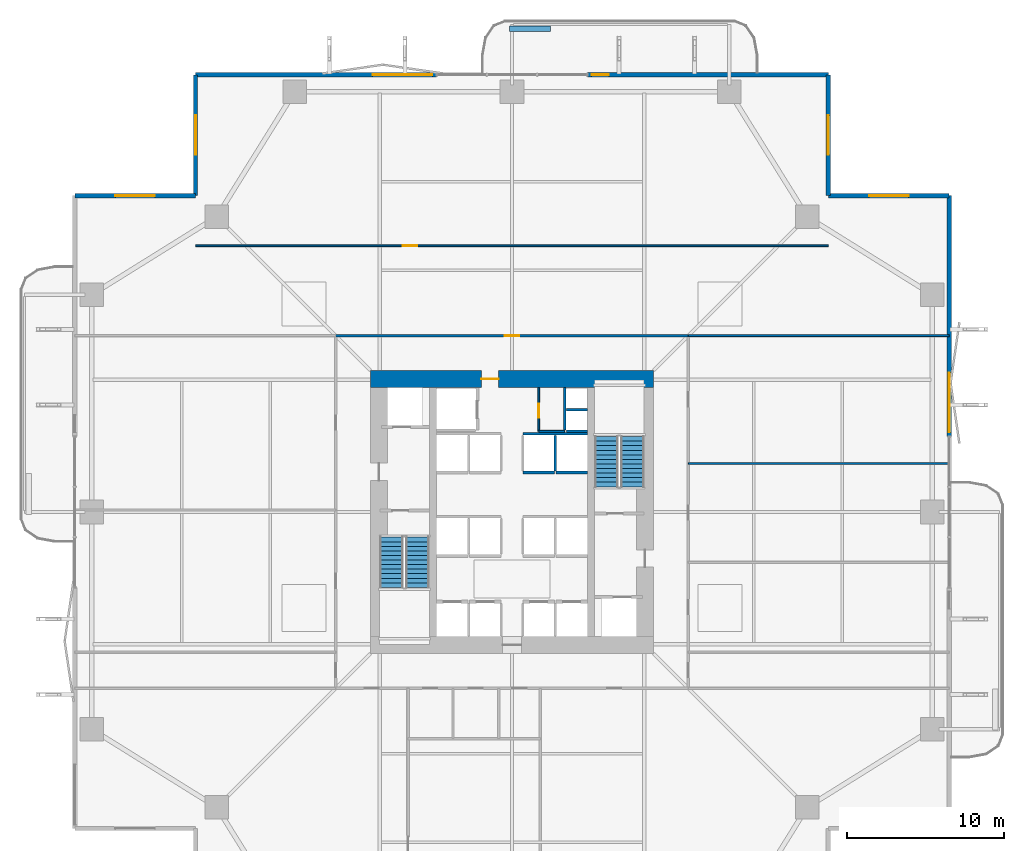
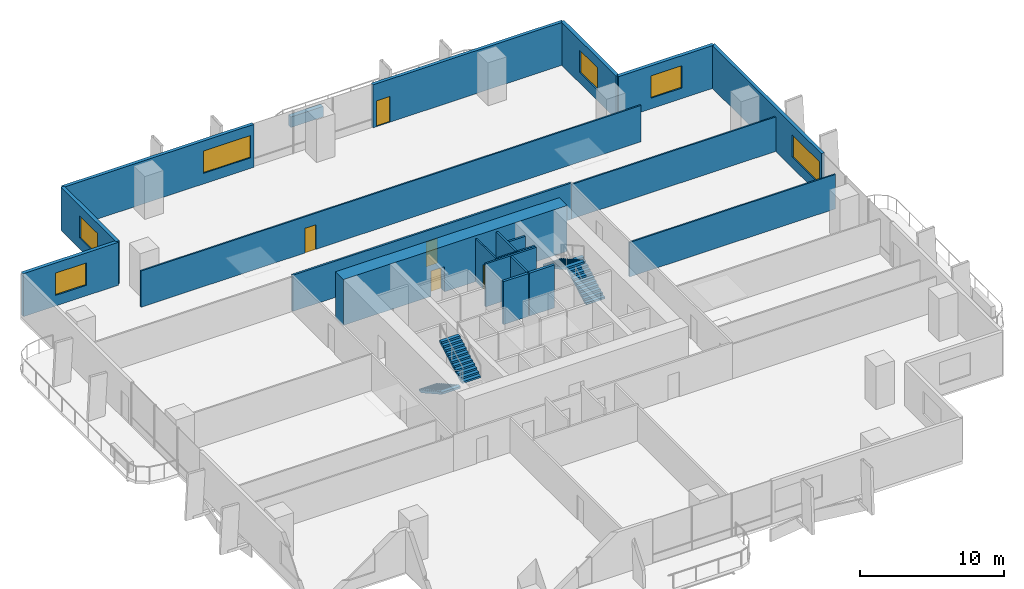
# One storey, part 19 of 23: 22 walls, 6 windows, 5 doors, 4 stair flights, 11 openings, 2 elements without a shape of their own.
"""IFC4 building model written with IfcOpenShell, lengths in metres."""

import ifcopenshell
import ifcopenshell.guid

model = None  # the IFC model being written
_history = None  # IfcOwnerHistory: only IFC2X3 demands one
_inside = {}  # id of a spatial element -> (the spatial element, [elements in it])
_under = {}  # id of a project, library or spatial element -> (it, [spatial elements below it])
_declared = {}  # id of a project -> (the project, [libraries it declares])
_typed = {}  # id of a type object -> (the type object, [elements of that type])
_made_of = {}  # id of a material, layer set ... -> (it, [elements and type objects made of it])


def new_model(schema):
    """Start an empty IFC model of exactly this schema.

    Asked for "IFC4X3", IfcOpenShell would pick the latest addendum, in which some entities
    have other attributes; the version numbers below select the first issue.
    IFC2X3 requires an IfcOwnerHistory on every rooted entity: one is made here for all.
    """
    global model, _history
    if schema == "IFC4X3":
        model = ifcopenshell.file(schema_version=(4, 3, 0, 0))
    else:
        model = ifcopenshell.file(schema=schema)
    _inside.clear()
    _under.clear()
    _declared.clear()
    _typed.clear()
    _made_of.clear()
    _history = None
    if model.schema == "IFC2X3":
        org = make("IfcOrganization", Name="unknown")
        user = make(
            "IfcPersonAndOrganization",
            ThePerson=make("IfcPerson", FamilyName="unknown"),
            TheOrganization=org,
        )
        app = make(
            "IfcApplication",
            ApplicationDeveloper=org,
            Version="unknown",
            ApplicationFullName="unknown",
            ApplicationIdentifier="unknown",
        )
        _history = make(
            "IfcOwnerHistory",
            OwningUser=user,
            OwningApplication=app,
            ChangeAction="ADDED",
            CreationDate=0,
        )
    return model


def make(cls, **values):
    """One entity of the class cls with the attributes given. An attribute that is None is left unset."""
    return model.create_entity(
        cls, **{name: value for name, value in values.items() if value is not None}
    )


def rooted(cls, **values):
    """An entity with a GlobalId (a new one), such as an element, a storey or a relation."""
    return make(cls, GlobalId=ifcopenshell.guid.new(), OwnerHistory=_history, **values)


def si_unit(unit_type, name, prefix=None):
    """IfcSIUnit, for example si_unit("LENGTHUNIT", "METRE", prefix="MILLI")."""
    return make("IfcSIUnit", UnitType=unit_type, Prefix=prefix, Name=name)


def assignment(units):
    """IfcUnitAssignment: the units of a project."""
    return None if units is None else make("IfcUnitAssignment", Units=units)


def point(xyz):
    """IfcCartesianPoint."""
    return None if xyz is None else make("IfcCartesianPoint", Coordinates=xyz)


def direction(xyz):
    """IfcDirection."""
    return None if xyz is None else make("IfcDirection", DirectionRatios=xyz)


def frame(location, z_axis=None, x_axis=None):
    """IfcAxis2Placement3D, a coordinate frame: its origin and axes. An axis left out is left unset."""
    return make(
        "IfcAxis2Placement3D",
        Location=point(location),
        Axis=direction(z_axis),
        RefDirection=direction(x_axis),
    )


def frame_2d(location, x_axis=None):
    """IfcAxis2Placement2D, a coordinate frame in the plane: its origin and x axis."""
    return make(
        "IfcAxis2Placement2D", Location=point(location), RefDirection=direction(x_axis)
    )


def origin():
    """The frame at (0, 0, 0) with its axes left unset."""
    return frame((0.0, 0.0, 0.0))


def place(relative_to, where):
    """IfcLocalPlacement: puts the frame where relative to a parent placement (None: the world)."""
    return make(
        "IfcLocalPlacement", PlacementRelTo=relative_to, RelativePlacement=where
    )


def context(
    kind, dimensions, precision=None, world=None, true_north=None, identifier=None
):
    """IfcGeometricRepresentationContext, for example the 3D "Model" context."""
    return make(
        "IfcGeometricRepresentationContext",
        ContextIdentifier=identifier,
        ContextType=kind,
        CoordinateSpaceDimension=dimensions,
        Precision=precision,
        WorldCoordinateSystem=world,
        TrueNorth=true_north,
    )


def subcontext(parent, identifier, kind, view, scale=None):
    """IfcGeometricRepresentationSubContext, for example "Body" below "Model"."""
    return make(
        "IfcGeometricRepresentationSubContext",
        ContextIdentifier=identifier,
        ContextType=kind,
        ParentContext=parent,
        TargetScale=scale,
        TargetView=view,
    )


def project(units=None, contexts=None):
    """IfcProject with its units and contexts."""
    return rooted(
        "IfcProject",
        Name="project",
        RepresentationContexts=contexts,
        UnitsInContext=assignment(units),
    )


def spatial(cls, under=None, at=None, **own):
    """A site, building, storey or space (cls), placed at a placement, below another one or the project."""
    s = rooted(cls, ObjectPlacement=at, **own)
    if under is not None:
        _under.setdefault(under.id(), (under, []))[1].append(s)
    return s


def polyline(points):
    """IfcPolyline through the points."""
    return make("IfcPolyline", Points=[point(p) for p in points])


def profile(cls, at=None, kind="AREA", **sizes):
    """A parametric profile (cls). Its sizes go by their IFC names, for example OverallWidth=200.0."""
    return make(cls, ProfileType=kind, Position=at, **sizes)


def rectangle(**sizes):
    """IfcRectangleProfileDef."""
    return profile("IfcRectangleProfileDef", **sizes)


def outline(outer, holes=None, kind="AREA"):
    """IfcArbitraryClosedProfileDef: a profile drawn as a closed curve; with holes, ...WithVoids."""
    if holes is None:
        return make("IfcArbitraryClosedProfileDef", ProfileType=kind, OuterCurve=outer)
    return make(
        "IfcArbitraryProfileDefWithVoids",
        ProfileType=kind,
        OuterCurve=outer,
        InnerCurves=holes,
    )


def extrude(swept, where, along, depth):
    """IfcExtrudedAreaSolid: the profile swept, set in the frame where, extruded along a direction by depth."""
    return make(
        "IfcExtrudedAreaSolid",
        SweptArea=swept,
        Position=where,
        ExtrudedDirection=direction(along),
        Depth=depth,
    )


def shape(context_of_items, identifier, shape_type, items):
    """IfcShapeRepresentation: the items that make up one representation, for example the "Body"."""
    return make(
        "IfcShapeRepresentation",
        ContextOfItems=context_of_items,
        RepresentationIdentifier=identifier,
        RepresentationType=shape_type,
        Items=items,
    )


def material(Name=None, Category=None):
    """IfcMaterial."""
    return make("IfcMaterial", Name=Name, Category=Category)


def layer(
    of_material, thickness, ventilated=None, Name=None, Category=None, Priority=None
):
    """IfcMaterialLayer: one layer of a wall or slab, of a material (None: an air gap)."""
    return make(
        "IfcMaterialLayer",
        Material=of_material,
        LayerThickness=thickness,
        IsVentilated=ventilated,
        Name=Name,
        Category=Category,
        Priority=Priority,
    )


def layer_set(layers, Name=None):
    """IfcMaterialLayerSet."""
    return make("IfcMaterialLayerSet", MaterialLayers=layers, LayerSetName=Name)


def made_of(thing, what):
    """Note that an element or type object is made of a material, layer set ...; save() writes the relation."""
    if what is not None:
        _made_of.setdefault(what.id(), (what, []))[1].append(thing)
    return thing


def type_object(cls, material=None, **own):
    """A type object (cls), such as IfcWallType, which elements share."""
    return made_of(rooted(cls, **own), material)


def element(
    cls,
    number,
    at=None,
    inside=None,
    cuts=None,
    type_object=None,
    material=None,
    context=None,
    identifier="Body",
    shape_type=None,
    held_by="IfcProductDefinitionShape",
    body=None,
    shapes=None,
    **own,
):
    """One element of the class cls, such as IfcWall. Its Tag is "e" and its number.

    at: its placement. inside: the storey or other place that contains it. cuts: it is an
    opening in that element (IfcRelVoidsElement). A single representation is given by context,
    identifier, shape_type and body (its items); several are given by shapes. held_by: the class
    of the entity that holds the representations. save() writes the other relations.
    """
    e = rooted(cls, Tag="e%d" % number, ObjectPlacement=at, **own)
    if body is not None:
        shapes = [shape(context, identifier, shape_type, body)]
    if shapes is not None:
        e.Representation = make(held_by, Representations=shapes)
    if inside is not None:
        _inside.setdefault(inside.id(), (inside, []))[1].append(e)
    if cuts is not None:
        rooted(
            "IfcRelVoidsElement", RelatingBuildingElement=cuts, RelatedOpeningElement=e
        )
    if type_object is not None:
        _typed.setdefault(type_object.id(), (type_object, []))[1].append(e)
    return made_of(e, material)


def fill(opening, filler):
    """IfcRelFillsElement: the door or window that sits in an opening."""
    return rooted(
        "IfcRelFillsElement",
        RelatingOpeningElement=opening,
        RelatedBuildingElement=filler,
    )


def aggregate(whole, parts):
    """IfcRelAggregates: a whole, such as a stair, and the parts it consists of."""
    return rooted("IfcRelAggregates", RelatingObject=whole, RelatedObjects=parts)


def save(model, path):
    """Write the relations noted so far, then the file.

    IfcRelAggregates (storeys below a building ...), IfcRelContainedInSpatialStructure (elements
    in a storey), IfcRelDefinesByType, IfcRelAssociatesMaterial and IfcRelDeclares: one each for
    every whole, place, type object, material and project.
    """
    for whole, parts in _under.values():
        aggregate(whole, parts)
    for where, things in _inside.values():
        rooted(
            "IfcRelContainedInSpatialStructure",
            RelatedElements=things,
            RelatingStructure=where,
        )
    for kind, things in _typed.values():
        rooted("IfcRelDefinesByType", RelatedObjects=things, RelatingType=kind)
    for what, things in _made_of.values():
        rooted("IfcRelAssociatesMaterial", RelatedObjects=things, RelatingMaterial=what)
    for by, libraries in _declared.values():
        rooted("IfcRelDeclares", RelatingContext=by, RelatedDefinitions=libraries)
    model.write(path)


model = new_model("IFC4")

# Units and contexts
model_context = context("Model", 3, precision=1e-05, world=origin(), true_north=direction((0.0, 1.0)))
body_context = subcontext(model_context, "Body", "Model", "MODEL_VIEW")
ifc_project = project(units=[si_unit("LENGTHUNIT", "METRE"), si_unit("AREAUNIT", "SQUARE_METRE"), si_unit("VOLUMEUNIT", "CUBIC_METRE"), si_unit("PLANEANGLEUNIT", "RADIAN"), si_unit("MASSUNIT", "GRAM", prefix="KILO")], contexts=[model_context])

# Site, building, storey
site_placement = place(None, origin())
site = spatial("IfcSite", under=ifc_project, at=site_placement, CompositionType="ELEMENT")
building_placement = place(site_placement, origin())
building = spatial("IfcBuilding", under=site, at=building_placement, Name="Belovzor Exchange Tower", CompositionType="ELEMENT")
storey_placement = place(building_placement, frame((0.0, 0.0, 65.10009765625)))
storey = spatial("IfcBuildingStorey", under=building, at=storey_placement, Name="L15", CompositionType="ELEMENT", Elevation=65.10009765625)

# Wall, opening, door
ifc_material_1 = material(Name="Acoustic Plasterboard on Galvanised Studs", Category="gypsum")
ifc_layer_1 = layer(ifc_material_1, 0.1201171875)
ifc_layer_set_1 = layer_set([ifc_layer_1], Name="Acoustic Plasterboard on Galvanised Studs")
wall_type_1 = type_object("IfcWallType", Name="Acoustic Double-Stud Partition Wall 120", PredefinedType="PARTITIONING", material=ifc_layer_set_1)
wall_1_placement = place(storey_placement, frame((8.699951171875, 45.7099609375, 0.0), z_axis=(0.0, 0.0, 1.0), x_axis=(1.0, 0.0, 0.0)))
wall_1 = element("IfcWall", 1, at=wall_1_placement, inside=storey, type_object=wall_type_1, Name="W-P120 Partition Wall W-L15-NHDIV-0", PredefinedType="PARTITIONING", context=body_context, shape_type="SweptSolid", body=[
    extrude(rectangle(XDim=40.199951171875, YDim=0.1201171875, at=frame_2d((20.10009765625, 0.0))), origin(), (0.0, 0.0, 1.0), 3.0849609375),
])
opening_1_placement = place(wall_1_placement, frame((13.1669921875, 0.0, 0.0)))
opening_1 = element("IfcOpeningElement", 2, at=opening_1_placement, cuts=wall_1, Name="Opening D-INT-090", PredefinedType="OPENING", context=body_context, shape_type="SweptSolid", body=[
    extrude(rectangle(XDim=0.89990234375, YDim=2.10009765625, at=frame_2d((0.449951171875, 1.050048828125))), frame((0.0, 0.070068359375, 0.0), z_axis=(0.0, -1.0, 0.0), x_axis=(1.0, 0.0, 0.0)), (0.0, 0.0, 1.0), 0.14013671875),
])
ifc_material_2 = material(Name="Veneered Hardwood Acoustic Leaf", Category="wood")
door_type_1 = type_object("IfcDoorType", Name="Trading Suite Acoustic Single Door 900x2100", OperationType="NOTDEFINED", PredefinedType="DOOR", material=ifc_material_2)
door_1_placement = place(opening_1_placement, origin())
door_1 = element("IfcDoor", 3, at=door_1_placement, inside=storey, type_object=door_type_1, Name="D-INT-090 Trading Suite Acoustic Single Door 900x2100", OperationType="SINGLE_SWING_RIGHT", OverallHeight=2.10009765625, OverallWidth=0.89990234375, PredefinedType="DOOR", context=body_context, shape_type="SweptSolid", body=[
    extrude(rectangle(XDim=0.89990234375, YDim=2.10009765625, at=frame_2d((0.449951171875, 1.050048828125))), frame((0.0, 0.02490234375, 0.0), z_axis=(0.0, -1.0, 0.0), x_axis=(1.0, 0.0, 0.0)), (0.0, 0.0, 1.0), 0.050048828125),
])
fill(opening_1, door_1)

# Walls
for number, where, z_axis, x_axis, name in (
    (4, (40.0, 40.0, 0.0), (0.0, 0.0, 1.0), (1.0, 0.0, 0.0), "W-P120 Partition Wall W-L15-END-NE"),
    (5, (40.0, 31.884033203125, 0.0), (0.0, 0.0, 1.0), (1.0, 0.0, 0.0), "W-P120 Partition Wall W-L15-EDIV-3"),
):
    element("IfcWall", number, at=place(storey_placement, frame(where, z_axis=z_axis, x_axis=x_axis)), inside=storey, type_object=wall_type_1, Name=name, PredefinedType="PARTITIONING", context=body_context, shape_type="SweptSolid", body=[
        extrude(rectangle(XDim=16.570068359375, YDim=0.1201171875, at=frame_2d((8.28515625, 0.0))), origin(), (0.0, 0.0, 1.0), 2.934814453125),
    ])

# Wall, opening, door
ifc_material_3 = material(Name="Fire-Rated Plasterboard on Galvanised Studs", Category="gypsum")
ifc_layer_2 = layer(ifc_material_3, 0.1201171875)
ifc_layer_set_2 = layer_set([ifc_layer_2], Name="Fire-Rated Plasterboard on Galvanised Studs")
wall_type_2 = type_object("IfcWallType", Name="Fire-Rated Double-Stud Partition Wall 120", PredefinedType="PARTITIONING", material=ifc_layer_set_2)
wall_2_placement = place(storey_placement, frame((30.5, 33.925048828125, 0.0), z_axis=(0.0, 0.0, 1.0), x_axis=(0.0, 1.0, 0.0)))
wall_2 = element("IfcWall", 6, at=wall_2_placement, inside=storey, type_object=wall_type_2, Name="W-P120F Partition Wall W-CRV-L15-W", PredefinedType="PARTITIONING", context=body_context, shape_type="SweptSolid", body=[
    extrude(rectangle(XDim=2.77490234375, YDim=0.1201171875, at=frame_2d((1.387451171875, 0.0))), origin(), (0.0, 0.0, 1.0), 3.64990234375),
])
opening_2_placement = place(wall_2_placement, frame((0.85009765625, 0.0, 0.0)))
opening_2 = element("IfcOpeningElement", 7, at=opening_2_placement, cuts=wall_2, Name="Opening D-FD60-090", PredefinedType="OPENING", context=body_context, shape_type="SweptSolid", body=[
    extrude(rectangle(XDim=0.89990234375, YDim=2.10009765625, at=frame_2d((0.449951171875, 1.050048828125))), frame((0.0, 0.070068359375, 0.0), z_axis=(0.0, -1.0, 0.0), x_axis=(1.0, 0.0, 0.0)), (0.0, 0.0, 1.0), 0.14013671875),
])
ifc_material_4 = material(Name="Acoustic Timber Fire Leaf", Category="wood")
door_type_2 = type_object("IfcDoorType", Name="Core Service & Restroom Fire Door 900x2100", OperationType="NOTDEFINED", PredefinedType="DOOR", material=ifc_material_4)
door_2_placement = place(opening_2_placement, origin())
door_2 = element("IfcDoor", 8, at=door_2_placement, inside=storey, type_object=door_type_2, Name="D-FD60-090 Core Service & Restroom Fire Door 900x2100", OperationType="SINGLE_SWING_LEFT", OverallHeight=2.10009765625, OverallWidth=0.89990234375, PredefinedType="DOOR", context=body_context, shape_type="SweptSolid", body=[
    extrude(rectangle(XDim=0.89990234375, YDim=2.10009765625, at=frame_2d((0.449951171875, 1.050048828125))), frame((0.0, 0.02490234375, 0.0), z_axis=(0.0, -1.0, 0.0), x_axis=(1.0, 0.0, 0.0)), (0.0, 0.0, 1.0), 0.050048828125),
])
fill(opening_2, door_2)

# Wall
wall_3_placement = place(storey_placement, frame((30.5, 33.925048828125, 0.0), z_axis=(0.0, 0.0, 1.0), x_axis=(1.0, 0.0, 0.0)))
element("IfcWall", 9, at=wall_3_placement, inside=storey, type_object=wall_type_2, Name="W-P120F Partition Wall W-CRV-L15-S", PredefinedType="PARTITIONING", context=body_context, shape_type="SweptSolid", body=[
    extrude(rectangle(XDim=1.64990234375, YDim=0.1201171875, at=frame_2d((0.824951171875, 0.0))), origin(), (0.0, 0.0, 1.0), 3.64990234375),
])

# Wall, opening, door
ifc_material_5 = material(Name="Fire-Rated Gypsum Block and Mineral Wool", Category="gypsum")
ifc_layer_3 = layer(ifc_material_5, 0.14990234375)
ifc_layer_set_3 = layer_set([ifc_layer_3], Name="Fire-Rated Gypsum Block and Mineral Wool")
wall_type_3 = type_object("IfcWallType", Name="Fire-Rated Gypsum Block Corridor Wall 150", PredefinedType="PARTITIONING", material=ifc_layer_set_3)
wall_4_placement = place(storey_placement, frame((17.60009765625, 40.0, 0.0), z_axis=(0.0, 0.0, 1.0), x_axis=(1.0, 0.0, 0.0)))
wall_4 = element("IfcWall", 10, at=wall_4_placement, inside=storey, type_object=wall_type_3, Name="W-P150 Partition Wall W-L15-CN", PredefinedType="PARTITIONING", context=body_context, shape_type="SweptSolid", body=[
    extrude(rectangle(XDim=22.39990234375, YDim=0.14990234375, at=frame_2d((11.199951171875, 0.0))), origin(), (0.0, 0.0, 1.0), 3.0849609375),
])
opening_3_placement = place(wall_4_placement, frame((10.75, 0.0, 0.0)))
opening_3 = element("IfcOpeningElement", 11, at=opening_3_placement, cuts=wall_4, Name="Opening D-INT-090", PredefinedType="OPENING", context=body_context, shape_type="SweptSolid", body=[
    extrude(rectangle(XDim=0.89990234375, YDim=2.10009765625, at=frame_2d((0.449951171875, 1.050048828125))), frame((0.0, 0.0849609375, 0.0), z_axis=(0.0, -1.0, 0.0), x_axis=(1.0, 0.0, 0.0)), (0.0, 0.0, 1.0), 0.169921875),
])
door_3_placement = place(opening_3_placement, origin())
door_3 = element("IfcDoor", 12, at=door_3_placement, inside=storey, type_object=door_type_1, Name="D-INT-090 Trading Suite Acoustic Single Door 900x2100", OperationType="SINGLE_SWING_RIGHT", OverallHeight=2.10009765625, OverallWidth=0.89990234375, PredefinedType="DOOR", context=body_context, shape_type="SweptSolid", body=[
    extrude(rectangle(XDim=0.89990234375, YDim=2.10009765625, at=frame_2d((0.449951171875, 1.050048828125))), frame((0.0, 0.02490234375, 0.0), z_axis=(0.0, -1.0, 0.0), x_axis=(1.0, 0.0, 0.0)), (0.0, 0.0, 1.0), 0.050048828125),
])
fill(opening_3, door_3)

# Wall, opening, window
ifc_material_6 = material(Name="Precast concrete C40/50", Category="concrete")
ifc_layer_4 = layer(ifc_material_6, 0.280029296875)
ifc_layer_set_4 = layer_set([ifc_layer_4], Name="Precast concrete C40/50")
wall_type_4 = type_object("IfcWallType", Name="Precast Concrete Notched Corner Frame Wall 280", PredefinedType="SOLIDWALL", material=ifc_layer_set_4)
wall_5_placement = place(storey_placement, frame((1.030029296875, 48.89990234375, 0.0), z_axis=(0.0, 0.0, 1.0), x_axis=(1.0, 0.0, 0.0)))
wall_5 = element("IfcWall", 13, at=wall_5_placement, inside=storey, type_object=wall_type_4, Name="W-CRN280 Precast Concrete Notched Corner Frame Wall 280 L15", PredefinedType="SOLIDWALL", context=body_context, shape_type="SweptSolid", body=[
    extrude(rectangle(XDim=7.669921875, YDim=0.280029296875, at=frame_2d((3.8349609375, 0.0))), origin(), (0.0, 0.0, 1.0), 3.64990234375),
])
opening_4_placement = place(wall_5_placement, frame((2.5849609375, 0.0, 0.89990234375)))
opening_4 = element("IfcOpeningElement", 14, at=opening_4_placement, cuts=wall_5, Name="Opening WN-CRN250", PredefinedType="OPENING", context=body_context, shape_type="SweptSolid", body=[
    extrude(rectangle(XDim=2.5, YDim=1.89990234375, at=frame_2d((1.25, 0.949951171875))), frame((0.0, 0.14990234375, 0.0), z_axis=(0.0, -1.0, 0.0), x_axis=(1.0, 0.0, 0.0)), (0.0, 0.0, 1.0), 0.300048828125),
])
ifc_material_7 = material(Name="Thermally Broken Aluminium and Triple Glazing", Category="aluminium")
window_type_1 = type_object("IfcWindowType", Name="Streamline Moderne Corner Wrap Ribbon Window 2500x1900", PartitioningType="SINGLE_PANEL", PredefinedType="WINDOW", material=ifc_material_7)
window_1_placement = place(opening_4_placement, origin())
window_1 = element("IfcWindow", 15, at=window_1_placement, inside=storey, type_object=window_type_1, Name="WN-CRN250 Streamline Moderne Corner Wrap Ribbon Window 2500x1900", OverallHeight=1.89990234375, OverallWidth=2.5, PartitioningType="SINGLE_PANEL", PredefinedType="WINDOW", context=body_context, shape_type="SweptSolid", body=[
    extrude(rectangle(XDim=2.5, YDim=1.89990234375, at=frame_2d((1.25, 0.949951171875))), frame((0.0, 0.030029296875, 0.0), z_axis=(0.0, -1.0, 0.0), x_axis=(1.0, 0.0, 0.0)), (0.0, 0.0, 1.0), 0.06005859375),
])
fill(opening_4, window_1)

wall_6_placement = place(storey_placement, frame((8.699951171875, 48.89990234375, 0.0), z_axis=(0.0, 0.0, 1.0), x_axis=(0.0, 1.0, 0.0)))
wall_6 = element("IfcWall", 16, at=wall_6_placement, inside=storey, type_object=wall_type_4, Name="W-CRN280 Precast Concrete Notched Corner Frame Wall 280 L15", PredefinedType="SOLIDWALL", context=body_context, shape_type="SweptSolid", body=[
    extrude(rectangle(XDim=7.670166015625, YDim=0.280029296875, at=frame_2d((3.8349609375, 0.0))), origin(), (0.0, 0.0, 1.0), 3.64990234375),
])
opening_5_placement = place(wall_6_placement, frame((2.5849609375, 0.0, 0.89990234375)))
opening_5 = element("IfcOpeningElement", 17, at=opening_5_placement, cuts=wall_6, Name="Opening WN-CRN250", PredefinedType="OPENING", context=body_context, shape_type="SweptSolid", body=[
    extrude(rectangle(XDim=2.5, YDim=1.89990234375, at=frame_2d((1.25, 0.949951171875))), frame((0.0, 0.14990234375, 0.0), z_axis=(0.0, -1.0, 0.0), x_axis=(1.0, 0.0, 0.0)), (0.0, 0.0, 1.0), 0.300048828125),
])
window_2_placement = place(opening_5_placement, origin())
window_2 = element("IfcWindow", 18, at=window_2_placement, inside=storey, type_object=window_type_1, Name="WN-CRN250 Streamline Moderne Corner Wrap Ribbon Window 2500x1900", OverallHeight=1.89990234375, OverallWidth=2.5, PartitioningType="SINGLE_PANEL", PredefinedType="WINDOW", context=body_context, shape_type="SweptSolid", body=[
    extrude(rectangle(XDim=2.5, YDim=1.89990234375, at=frame_2d((1.25, 0.949951171875))), frame((0.0, 0.030029296875, 0.0), z_axis=(0.0, -1.0, 0.0), x_axis=(1.0, 0.0, 0.0)), (0.0, 0.0, 1.0), 0.06005859375),
])
fill(opening_5, window_2)

wall_7_placement = place(storey_placement, frame((48.89990234375, 56.570068359375, 0.0), z_axis=(0.0, 0.0, 1.0), x_axis=(0.0, -1.0, 0.0)))
wall_7 = element("IfcWall", 19, at=wall_7_placement, inside=storey, type_object=wall_type_4, Name="W-CRN280 Precast Concrete Notched Corner Frame Wall 280 L15", PredefinedType="SOLIDWALL", context=body_context, shape_type="SweptSolid", body=[
    extrude(rectangle(XDim=7.670166015625, YDim=0.280029296875, at=frame_2d((3.8349609375, 0.0))), origin(), (0.0, 0.0, 1.0), 3.64990234375),
])
opening_6_placement = place(wall_7_placement, frame((2.5849609375, 0.0, 0.89990234375)))
opening_6 = element("IfcOpeningElement", 20, at=opening_6_placement, cuts=wall_7, Name="Opening WN-CRN250", PredefinedType="OPENING", context=body_context, shape_type="SweptSolid", body=[
    extrude(rectangle(XDim=2.5, YDim=1.89990234375, at=frame_2d((1.25, 0.949951171875))), frame((0.0, 0.14990234375, 0.0), z_axis=(0.0, -1.0, 0.0), x_axis=(1.0, 0.0, 0.0)), (0.0, 0.0, 1.0), 0.300048828125),
])
window_3_placement = place(opening_6_placement, origin())
window_3 = element("IfcWindow", 21, at=window_3_placement, inside=storey, type_object=window_type_1, Name="WN-CRN250 Streamline Moderne Corner Wrap Ribbon Window 2500x1900", OverallHeight=1.89990234375, OverallWidth=2.5, PartitioningType="SINGLE_PANEL", PredefinedType="WINDOW", context=body_context, shape_type="SweptSolid", body=[
    extrude(rectangle(XDim=2.5, YDim=1.89990234375, at=frame_2d((1.25, 0.949951171875))), frame((0.0, 0.030029296875, 0.0), z_axis=(0.0, -1.0, 0.0), x_axis=(1.0, 0.0, 0.0)), (0.0, 0.0, 1.0), 0.06005859375),
])
fill(opening_6, window_3)

wall_8_placement = place(storey_placement, frame((48.89990234375, 48.89990234375, 0.0), z_axis=(0.0, 0.0, 1.0), x_axis=(1.0, 0.0, 0.0)))
wall_8 = element("IfcWall", 22, at=wall_8_placement, inside=storey, type_object=wall_type_4, Name="W-CRN280 Precast Concrete Notched Corner Frame Wall 280 L15", PredefinedType="SOLIDWALL", context=body_context, shape_type="SweptSolid", body=[
    extrude(rectangle(XDim=7.670166015625, YDim=0.280029296875, at=frame_2d((3.8349609375, 0.0))), origin(), (0.0, 0.0, 1.0), 3.64990234375),
])
opening_7_placement = place(wall_8_placement, frame((2.5849609375, 0.0, 0.89990234375)))
opening_7 = element("IfcOpeningElement", 23, at=opening_7_placement, cuts=wall_8, Name="Opening WN-CRN250", PredefinedType="OPENING", context=body_context, shape_type="SweptSolid", body=[
    extrude(rectangle(XDim=2.5, YDim=1.89990234375, at=frame_2d((1.25, 0.949951171875))), frame((0.0, 0.14990234375, 0.0), z_axis=(0.0, -1.0, 0.0), x_axis=(1.0, 0.0, 0.0)), (0.0, 0.0, 1.0), 0.300048828125),
])
window_4_placement = place(opening_7_placement, origin())
window_4 = element("IfcWindow", 24, at=window_4_placement, inside=storey, type_object=window_type_1, Name="WN-CRN250 Streamline Moderne Corner Wrap Ribbon Window 2500x1900", OverallHeight=1.89990234375, OverallWidth=2.5, PartitioningType="SINGLE_PANEL", PredefinedType="WINDOW", context=body_context, shape_type="SweptSolid", body=[
    extrude(rectangle(XDim=2.5, YDim=1.89990234375, at=frame_2d((1.25, 0.949951171875))), frame((0.0, 0.030029296875, 0.0), z_axis=(0.0, -1.0, 0.0), x_axis=(1.0, 0.0, 0.0)), (0.0, 0.0, 1.0), 0.06005859375),
])
fill(opening_7, window_4)

ifc_material_8 = material(Name="Precast concrete C40/50", Category="concrete")
ifc_layer_5 = layer(ifc_material_8, 0.260009765625)
ifc_layer_set_5 = layer_set([ifc_layer_5], Name="Precast concrete C40/50")
wall_type_5 = type_object("IfcWallType", Name="Precast Concrete Perimeter Loggia Frame Wall 260", PredefinedType="SOLIDWALL", material=ifc_layer_set_5)
wall_9_placement = place(storey_placement, frame((8.699951171875, 56.570068359375, 0.0), z_axis=(0.0, 0.0, 1.0), x_axis=(1.0, 0.0, 0.0)))
wall_9 = element("IfcWall", 25, at=wall_9_placement, inside=storey, type_object=wall_type_5, Name="W-EXT260 Precast Concrete Perimeter Loggia Frame Wall 260 L15", PredefinedType="SOLIDWALL", context=body_context, shape_type="SweptSolid", body=[
    extrude(rectangle(XDim=15.300048828125, YDim=0.260009765625, at=frame_2d((7.64990234375, 0.0))), origin(), (0.0, 0.0, 1.0), 3.64990234375),
])
opening_8_placement = place(wall_9_placement, frame((11.25, 0.0, 0.89990234375)))
opening_8 = element("IfcOpeningElement", 26, at=opening_8_placement, cuts=wall_9, Name="Opening WN-RIB380", PredefinedType="OPENING", context=body_context, shape_type="SweptSolid", body=[
    extrude(rectangle(XDim=3.800048828125, YDim=1.89990234375, at=frame_2d((1.89990234375, 0.949951171875))), frame((0.0, 0.139892578125, 0.0), z_axis=(0.0, -1.0, 0.0), x_axis=(1.0, 0.0, 0.0)), (0.0, 0.0, 1.0), 0.280029296875),
])
ifc_material_9 = material(Name="Thermally Broken Aluminium and Triple Glazing", Category="aluminium")
window_type_2 = type_object("IfcWindowType", Name="Streamline Moderne Horizontal Ribbon Window 3800x1900", PartitioningType="SINGLE_PANEL", PredefinedType="WINDOW", material=ifc_material_9)
window_5_placement = place(opening_8_placement, origin())
window_5 = element("IfcWindow", 27, at=window_5_placement, inside=storey, type_object=window_type_2, Name="WN-RIB380 Streamline Moderne Horizontal Ribbon Window 3800x1900", OverallHeight=1.89990234375, OverallWidth=3.800048828125, PartitioningType="SINGLE_PANEL", PredefinedType="WINDOW", context=body_context, shape_type="SweptSolid", body=[
    extrude(rectangle(XDim=3.800048828125, YDim=1.89990234375, at=frame_2d((1.89990234375, 0.949951171875))), frame((0.0, 0.030029296875, 0.0), z_axis=(0.0, -1.0, 0.0), x_axis=(1.0, 0.0, 0.0)), (0.0, 0.0, 1.0), 0.06005859375),
])
fill(opening_8, window_5)

# Wall, opening, door
wall_10_placement = place(storey_placement, frame((33.60009765625, 56.570068359375, 0.0), z_axis=(0.0, 0.0, 1.0), x_axis=(1.0, 0.0, 0.0)))
wall_10 = element("IfcWall", 28, at=wall_10_placement, inside=storey, type_object=wall_type_5, Name="W-EXT260 Precast Concrete Perimeter Loggia Frame Wall 260 L15", PredefinedType="SOLIDWALL", context=body_context, shape_type="SweptSolid", body=[
    extrude(rectangle(XDim=15.2998046875, YDim=0.260009765625, at=frame_2d((7.64990234375, 0.0))), origin(), (0.0, 0.0, 1.0), 3.64990234375),
])
opening_9_placement = place(wall_10_placement, frame((0.25, 0.0, 0.0)))
opening_9 = element("IfcOpeningElement", 29, at=opening_9_placement, cuts=wall_10, Name="Opening D-BAL110", PredefinedType="OPENING", context=body_context, shape_type="SweptSolid", body=[
    extrude(rectangle(XDim=1.10009765625, YDim=2.199951171875, at=frame_2d((0.550048828125, 1.10009765625))), frame((0.0, 0.139892578125, 0.0), z_axis=(0.0, -1.0, 0.0), x_axis=(1.0, 0.0, 0.0)), (0.0, 0.0, 1.0), 0.280029296875),
])
ifc_material_10 = material(Name="Thermally Broken Anodised Aluminium and Laminated Glass", Category="aluminium")
door_type_3 = type_object("IfcDoorType", Name="Planted Loggia Terrace Glazed Door 1100x2200", OperationType="SINGLE_SWING_LEFT", PredefinedType="DOOR", material=ifc_material_10)
door_4_placement = place(opening_9_placement, origin())
door_4 = element("IfcDoor", 30, at=door_4_placement, inside=storey, type_object=door_type_3, Name="D-BAL110 Balcony Terrace Door L15 N", OperationType="SINGLE_SWING_RIGHT", OverallHeight=2.199951171875, OverallWidth=1.10009765625, PredefinedType="DOOR", context=body_context, shape_type="SweptSolid", body=[
    extrude(rectangle(XDim=1.10009765625, YDim=2.199951171875, at=frame_2d((0.550048828125, 1.10009765625))), frame((0.0, 0.02490234375, 0.0), z_axis=(0.0, -1.0, 0.0), x_axis=(1.0, 0.0, 0.0)), (0.0, 0.0, 1.0), 0.050048828125),
])
fill(opening_9, door_4)

# Wall, opening, window
wall_11_placement = place(storey_placement, frame((56.570068359375, 48.89990234375, 0.0), z_axis=(0.0, 0.0, 1.0), x_axis=(0.0, -1.0, 0.0)))
wall_11 = element("IfcWall", 31, at=wall_11_placement, inside=storey, type_object=wall_type_5, Name="W-EXT260 Precast Concrete Perimeter Loggia Frame Wall 260 L15", PredefinedType="SOLIDWALL", context=body_context, shape_type="SweptSolid", body=[
    extrude(rectangle(XDim=15.2998046875, YDim=0.260009765625, at=frame_2d((7.64990234375, 0.0))), origin(), (0.0, 0.0, 1.0), 3.64990234375),
])
opening_10_placement = place(wall_11_placement, frame((11.25, 0.0, 0.89990234375)))
opening_10 = element("IfcOpeningElement", 32, at=opening_10_placement, cuts=wall_11, Name="Opening WN-RIB380", PredefinedType="OPENING", context=body_context, shape_type="SweptSolid", body=[
    extrude(rectangle(XDim=3.800048828125, YDim=1.89990234375, at=frame_2d((1.89990234375, 0.949951171875))), frame((0.0, 0.139892578125, 0.0), z_axis=(0.0, -1.0, 0.0), x_axis=(1.0, 0.0, 0.0)), (0.0, 0.0, 1.0), 0.280029296875),
])
window_6_placement = place(opening_10_placement, origin())
window_6 = element("IfcWindow", 33, at=window_6_placement, inside=storey, type_object=window_type_2, Name="WN-RIB380 Streamline Moderne Horizontal Ribbon Window 3800x1900", OverallHeight=1.89990234375, OverallWidth=3.800048828125, PartitioningType="SINGLE_PANEL", PredefinedType="WINDOW", context=body_context, shape_type="SweptSolid", body=[
    extrude(rectangle(XDim=3.800048828125, YDim=1.89990234375, at=frame_2d((1.89990234375, 0.949951171875))), frame((0.0, 0.030029296875, 0.0), z_axis=(0.0, -1.0, 0.0), x_axis=(1.0, 0.0, 0.0)), (0.0, 0.0, 1.0), 0.06005859375),
])
fill(opening_10, window_6)

# Walls
ifc_material_11 = material(Name="Precast concrete C40/50", Category="concrete")
ifc_layer_6 = layer(ifc_material_11, 0.35009765625)
ifc_layer_set_6 = layer_set([ifc_layer_6], Name="Precast concrete C40/50")
wall_type_6 = type_object("IfcWallType", Name="Precast Concrete Structural Tree Planter Trough 350", PredefinedType="PARAPET", material=ifc_layer_set_6)
wall_12_placement = place(storey_placement, frame((28.64990234375, 59.5, 0.0), z_axis=(0.0, 0.0, 1.0), x_axis=(1.0, 0.0, 0.0)))
element("IfcWall", 34, at=wall_12_placement, inside=storey, type_object=wall_type_6, Name="PT-350 Precast Concrete Structural Tree Planter Trough 350 L15", PredefinedType="PARAPET", context=body_context, shape_type="SweptSolid", body=[
    extrude(rectangle(XDim=2.60009765625, YDim=0.35009765625, at=frame_2d((1.300048828125, 0.0))), origin(), (0.0, 0.0, 1.0), 0.89990234375),
])
ifc_material_12 = material(Name="Concrete C50/60", Category="concrete")
ifc_layer_7 = layer(ifc_material_12, 0.14990234375)
ifc_layer_set_7 = layer_set([ifc_layer_7], Name="Concrete C50/60")
wall_type_7 = type_object("IfcWallType", Name="Reinforced Concrete Core Riser Shear Wall 150", PredefinedType="SHEAR", material=ifc_layer_set_7)
wall_13_placement = place(storey_placement, frame((32.14990234375, 34.0, 0.0), z_axis=(0.0, 0.0, 1.0), x_axis=(0.0, 1.0, 0.0)))
element("IfcWall", 35, at=wall_13_placement, inside=storey, type_object=wall_type_7, Name="W-C150S Core Shaft Wall W-RSR-L15-E", PredefinedType="SHEAR", context=body_context, shape_type="SweptSolid", body=[
    extrude(rectangle(XDim=2.699951171875, YDim=0.14990234375, at=frame_2d((1.35009765625, 0.0))), origin(), (0.0, 0.0, 1.0), 3.64990234375),
])
for number, where, z_axis, x_axis, name in (
    (36, (32.25, 33.925048828125, 0.0), (0.0, 0.0, 1.0), (1.0, 0.0, 0.0), "W-C150S Core Shaft Wall W-RSR-L15-S"),
    (37, (32.25, 35.300048828125, 0.0), (0.0, 0.0, 1.0), (1.0, 0.0, 0.0), "W-C150S Core Shaft Wall W-RSR-L15-M"),
):
    element("IfcWall", number, at=place(storey_placement, frame(where, z_axis=z_axis, x_axis=x_axis)), inside=storey, type_object=wall_type_7, Name=name, PredefinedType="SHEAR", context=body_context, shape_type="SweptSolid", body=[
        extrude(rectangle(XDim=1.330078125, YDim=0.14990234375, at=frame_2d((0.6650390625, 0.0))), origin(), (0.0, 0.0, 1.0), 3.64990234375),
    ])
wall_14_placement = place(storey_placement, frame((29.5, 33.760009765625, 0.0), z_axis=(0.0, 0.0, 1.0), x_axis=(1.0, 0.0, 0.0)))
element("IfcWall", 38, at=wall_14_placement, inside=storey, type_object=wall_type_7, Name="W-C150S Core Shaft Wall W-SHB-L15-PLH-NE", PredefinedType="SHEAR", context=body_context, shape_type="SweptSolid", body=[
    extrude(rectangle(XDim=4.080078125, YDim=0.14990234375, at=frame_2d((2.0400390625, 0.0))), origin(), (0.0, 0.0, 1.0), 3.64990234375),
])
wall_15_placement = place(storey_placement, frame((31.550048828125, 31.419921875, 0.0), z_axis=(0.0, 0.0, 1.0), x_axis=(0.0, 1.0, 0.0)))
element("IfcWall", 39, at=wall_15_placement, inside=storey, type_object=wall_type_7, Name="W-C150S Core Shaft Wall W-SHD-L15-PLH-4", PredefinedType="SHEAR", context=body_context, shape_type="SweptSolid", body=[
    extrude(rectangle(XDim=2.239990234375, YDim=0.14990234375, at=frame_2d((1.1201171875, 0.0))), origin(), (0.0, 0.0, 1.0), 3.64990234375),
])
ifc_material_13 = material(Name="Concrete C50/60", Category="concrete")
ifc_layer_8 = layer(ifc_material_13, 0.199951171875)
ifc_layer_set_8 = layer_set([ifc_layer_8], Name="Concrete C50/60")
wall_type_8 = type_object("IfcWallType", Name="Reinforced Concrete Core Shaft Shear Wall 200", PredefinedType="SHEAR", material=ifc_layer_set_8)
for number, where, z_axis, x_axis, name in (
    (40, (29.5, 31.300048828125, 0.0), (0.0, 0.0, 1.0), (1.0, 0.0, 0.0), "W-C200S Core Shaft Wall W-SH-L15-PL-H3"),
    (41, (31.60009765625, 31.300048828125, 0.0), (0.0, 0.0, 1.0), (1.0, 0.0, 0.0), "W-C200S Core Shaft Wall W-SH-L15-PL-H4"),
):
    element("IfcWall", number, at=place(storey_placement, frame(where, z_axis=z_axis, x_axis=x_axis)), inside=storey, type_object=wall_type_8, Name=name, PredefinedType="SHEAR", context=body_context, shape_type="SweptSolid", body=[
        extrude(rectangle(XDim=2.0, YDim=0.199951171875, at=frame_2d((1.0, 0.0))), origin(), (0.0, 0.0, 1.0), 3.64990234375),
    ])

# Wall, opening, door
ifc_material_14 = material(Name="Concrete C60/75", Category="concrete")
ifc_layer_9 = layer(ifc_material_14, 1.10009765625)
ifc_layer_set_9 = layer_set([ifc_layer_9], Name="Concrete C60/75")
wall_type_9 = type_object("IfcWallType", Name="Reinforced Concrete Core Shear Wall 1100", PredefinedType="SHEAR", material=ifc_layer_set_9)
wall_16_placement = place(storey_placement, frame((19.800048828125, 37.25, 0.0), z_axis=(0.0, 0.0, 1.0), x_axis=(1.0, 0.0, 0.0)))
wall_16 = element("IfcWall", 42, at=wall_16_placement, inside=storey, type_object=wall_type_9, Name="CW-S110 Core Shear Wall L15 N", PredefinedType="SHEAR", context=body_context, shape_type="SweptSolid", body=[
    extrude(rectangle(XDim=18.0, YDim=1.10009765625, at=frame_2d((9.0, 0.0))), origin(), (0.0, 0.0, 1.0), 3.89990234375),
])
opening_11_placement = place(wall_16_placement, frame((7.050048828125, 0.0, 0.0)))
opening_11 = element("IfcOpeningElement", 43, at=opening_11_placement, cuts=wall_16, Name="Opening D-FD90-110", PredefinedType="OPENING", context=body_context, shape_type="SweptSolid", body=[
    extrude(rectangle(XDim=1.10009765625, YDim=2.14990234375, at=frame_2d((0.550048828125, 1.074951171875))), frame((0.0, 0.56005859375, 0.0), z_axis=(0.0, -1.0, 0.0), x_axis=(1.0, 0.0, 0.0)), (0.0, 0.0, 1.0), 1.1201171875),
])
ifc_material_15 = material(Name="Fire-Rated Galvanised Steel Leaf", Category="steel")
door_type_4 = type_object("IfcDoorType", Name="Protected Escape Vestibule Fire Door 1100x2150", OperationType="NOTDEFINED", PredefinedType="DOOR", material=ifc_material_15)
door_5_placement = place(opening_11_placement, origin())
door_5 = element("IfcDoor", 44, at=door_5_placement, inside=storey, type_object=door_type_4, Name="D-FD90-110 Protected Escape Vestibule Fire Door 1100x2150", OperationType="SINGLE_SWING_RIGHT", OverallHeight=2.14990234375, OverallWidth=1.10009765625, PredefinedType="DOOR", context=body_context, shape_type="SweptSolid", body=[
    extrude(rectangle(XDim=1.10009765625, YDim=2.14990234375, at=frame_2d((0.550048828125, 1.074951171875))), frame((0.0, 0.02490234375, 0.0), z_axis=(0.0, -1.0, 0.0), x_axis=(1.0, 0.0, 0.0)), (0.0, 0.0, 1.0), 0.050048828125),
])
fill(opening_11, door_5)

# Stair, stair flights
ifc_material_16 = material(Name="Concrete C40/50", Category="concrete")
stair_type = type_object("IfcStairType", Name="Reinforced Concrete Dogleg Escape Stair 1350", PredefinedType="HALF_TURN_STAIR", material=ifc_material_16)
stair_1_placement = place(storey_placement, origin())
stair_1 = element("IfcStair", 45, at=stair_1_placement, inside=storey, type_object=stair_type, Name="L15 ST-1", PredefinedType="HALF_TURN_STAIR")
ifc_material_17 = material(Name="Concrete C40/50", Category="concrete")
stair_flight_type = type_object("IfcStairFlightType", Name="Reinforced Concrete Stair Flight 1350", PredefinedType="STRAIGHT", material=ifc_material_17)
stair_flight_1_placement = place(storey_placement, frame((21.14990234375, 27.199951171875, 0.0), z_axis=(0.0, 0.0, 1.0), x_axis=(0.0, -1.0, 0.0)))
stair_flight_1 = element("IfcStairFlight", 46, at=stair_flight_1_placement, type_object=stair_flight_type, Name="ST-1 flight 1", NumberOfRisers=12, NumberOfTreads=11, PredefinedType="STRAIGHT", RiserHeight=0.1625, TreadLength=0.29, context=body_context, shape_type="SweptSolid", body=[
    extrude(outline(polyline([(0.0, 0.0), (0.0, 0.16259765625), (0.2900390625, 0.16259765625), (0.2900390625, 0.324951171875), (0.580078125, 0.324951171875), (0.580078125, 0.487548828125), (0.8701171875, 0.487548828125), (0.8701171875, 0.64990234375), (1.159912109375, 0.64990234375), (1.159912109375, 0.8125), (1.449951171875, 0.8125), (1.449951171875, 0.97509765625), (1.739990234375, 0.97509765625), (1.739990234375, 1.137451171875), (2.030029296875, 1.137451171875), (2.030029296875, 1.300048828125), (2.320068359375, 1.300048828125), (2.320068359375, 1.46240234375), (2.610107421875, 1.46240234375), (2.610107421875, 1.625), (2.89990234375, 1.625), (2.89990234375, 1.78759765625), (3.18994140625, 1.78759765625), (3.18994140625, 1.949951171875), (3.18994140625, 1.61572265625), (0.306640625, 0.0), (0.0, 0.0)])), frame((0.0, 0.75, 0.0), z_axis=(0.0, -1.0, 0.0), x_axis=(1.0, 0.0, 0.0)), (0.0, 0.0, 1.0), 1.5),
])
stair_flight_2_placement = place(storey_placement, frame((22.800048828125, 24.010009765625, 1.949951171875), z_axis=(0.0, 0.0, 1.0), x_axis=(0.0, 1.0, 0.0)))
stair_flight_2 = element("IfcStairFlight", 47, at=stair_flight_2_placement, type_object=stair_flight_type, Name="ST-1 flight 2", NumberOfRisers=12, NumberOfTreads=11, PredefinedType="STRAIGHT", RiserHeight=0.1625, TreadLength=0.29, context=body_context, shape_type="SweptSolid", body=[
    extrude(outline(polyline([(0.0, 0.0), (0.0, 0.16259765625), (0.2900390625, 0.16259765625), (0.2900390625, 0.324951171875), (0.580078125, 0.324951171875), (0.580078125, 0.487548828125), (0.8701171875, 0.487548828125), (0.8701171875, 0.64990234375), (1.159912109375, 0.64990234375), (1.159912109375, 0.8125), (1.449951171875, 0.8125), (1.449951171875, 0.97509765625), (1.739990234375, 0.97509765625), (1.739990234375, 1.137451171875), (2.030029296875, 1.137451171875), (2.030029296875, 1.300048828125), (2.320068359375, 1.300048828125), (2.320068359375, 1.46240234375), (2.610107421875, 1.46240234375), (2.610107421875, 1.625), (2.89990234375, 1.625), (2.89990234375, 1.78759765625), (3.18994140625, 1.78759765625), (3.18994140625, 1.949951171875), (3.18994140625, 1.61572265625), (0.306640625, 0.0), (0.0, 0.0)])), frame((0.0, 0.75, 0.0), z_axis=(0.0, -1.0, 0.0), x_axis=(1.0, 0.0, 0.0)), (0.0, 0.0, 1.0), 1.5),
])
aggregate(stair_1, [stair_flight_1, stair_flight_2])

stair_2_placement = place(storey_placement, origin())
stair_2 = element("IfcStair", 48, at=stair_2_placement, inside=storey, type_object=stair_type, Name="L15 ST-2", PredefinedType="HALF_TURN_STAIR")
stair_flight_3_placement = place(storey_placement, frame((36.449951171875, 30.39990234375, 0.0), z_axis=(0.0, 0.0, 1.0), x_axis=(0.0, 1.0, 0.0)))
stair_flight_3 = element("IfcStairFlight", 49, at=stair_flight_3_placement, type_object=stair_flight_type, Name="ST-2 flight 1", NumberOfRisers=12, NumberOfTreads=11, PredefinedType="STRAIGHT", RiserHeight=0.1625, TreadLength=0.29, context=body_context, shape_type="SweptSolid", body=[
    extrude(outline(polyline([(0.0, 0.0), (0.0, 0.16259765625), (0.2900390625, 0.16259765625), (0.2900390625, 0.324951171875), (0.580078125, 0.324951171875), (0.580078125, 0.487548828125), (0.8701171875, 0.487548828125), (0.8701171875, 0.64990234375), (1.159912109375, 0.64990234375), (1.159912109375, 0.8125), (1.449951171875, 0.8125), (1.449951171875, 0.97509765625), (1.739990234375, 0.97509765625), (1.739990234375, 1.137451171875), (2.030029296875, 1.137451171875), (2.030029296875, 1.300048828125), (2.320068359375, 1.300048828125), (2.320068359375, 1.46240234375), (2.610107421875, 1.46240234375), (2.610107421875, 1.625), (2.89990234375, 1.625), (2.89990234375, 1.78759765625), (3.18994140625, 1.78759765625), (3.18994140625, 1.949951171875), (3.18994140625, 1.61572265625), (0.306640625, 0.0), (0.0, 0.0)])), frame((0.0, 0.75, 0.0), z_axis=(0.0, -1.0, 0.0), x_axis=(1.0, 0.0, 0.0)), (0.0, 0.0, 1.0), 1.5),
])
stair_flight_4_placement = place(storey_placement, frame((34.800048828125, 33.590087890625, 1.949951171875), z_axis=(0.0, 0.0, 1.0), x_axis=(0.0, -1.0, 0.0)))
stair_flight_4 = element("IfcStairFlight", 50, at=stair_flight_4_placement, type_object=stair_flight_type, Name="ST-2 flight 2", NumberOfRisers=12, NumberOfTreads=11, PredefinedType="STRAIGHT", RiserHeight=0.1625, TreadLength=0.29, context=body_context, shape_type="SweptSolid", body=[
    extrude(outline(polyline([(0.0, 0.0), (0.0, 0.16259765625), (0.2900390625, 0.16259765625), (0.2900390625, 0.324951171875), (0.580078125, 0.324951171875), (0.580078125, 0.487548828125), (0.8701171875, 0.487548828125), (0.8701171875, 0.64990234375), (1.159912109375, 0.64990234375), (1.159912109375, 0.8125), (1.449951171875, 0.8125), (1.449951171875, 0.97509765625), (1.739990234375, 0.97509765625), (1.739990234375, 1.137451171875), (2.030029296875, 1.137451171875), (2.030029296875, 1.300048828125), (2.320068359375, 1.300048828125), (2.320068359375, 1.46240234375), (2.610107421875, 1.46240234375), (2.610107421875, 1.625), (2.89990234375, 1.625), (2.89990234375, 1.78759765625), (3.18994140625, 1.78759765625), (3.18994140625, 1.949951171875), (3.18994140625, 1.61572265625), (0.306640625, 0.0), (0.0, 0.0)])), frame((0.0, 0.75, 0.0), z_axis=(0.0, -1.0, 0.0), x_axis=(1.0, 0.0, 0.0)), (0.0, 0.0, 1.0), 1.5),
])
aggregate(stair_2, [stair_flight_3, stair_flight_4])

save(model, "model.ifc")
